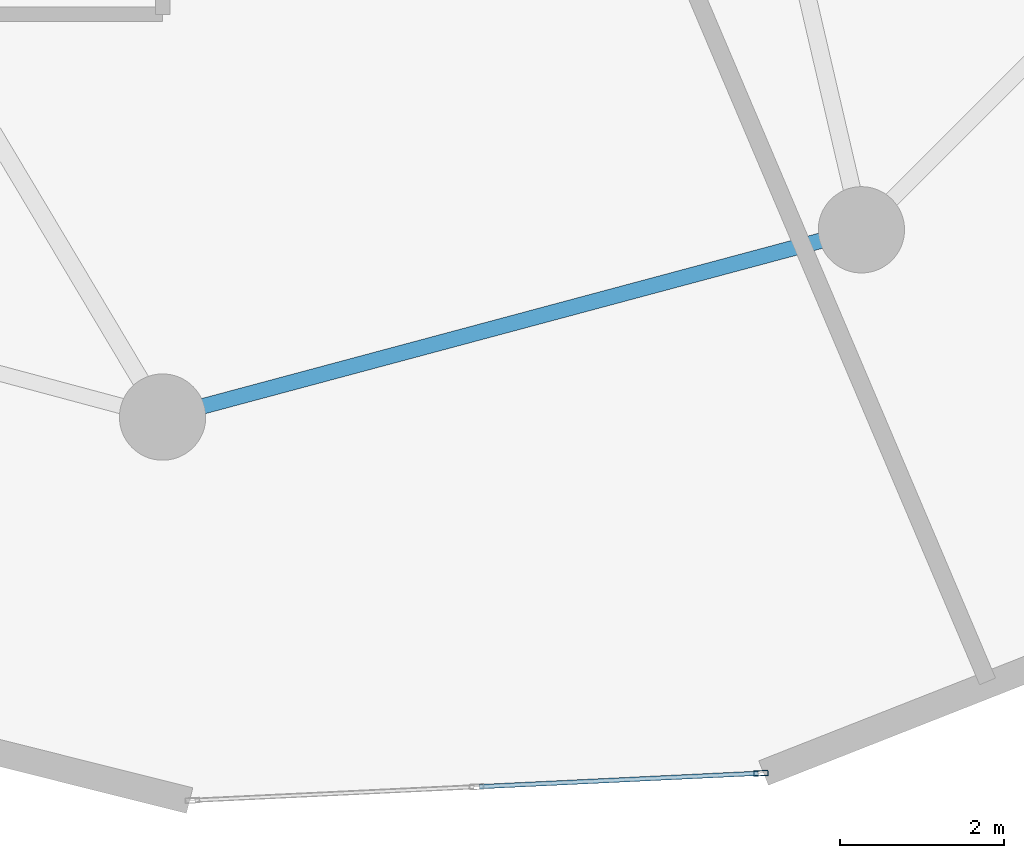
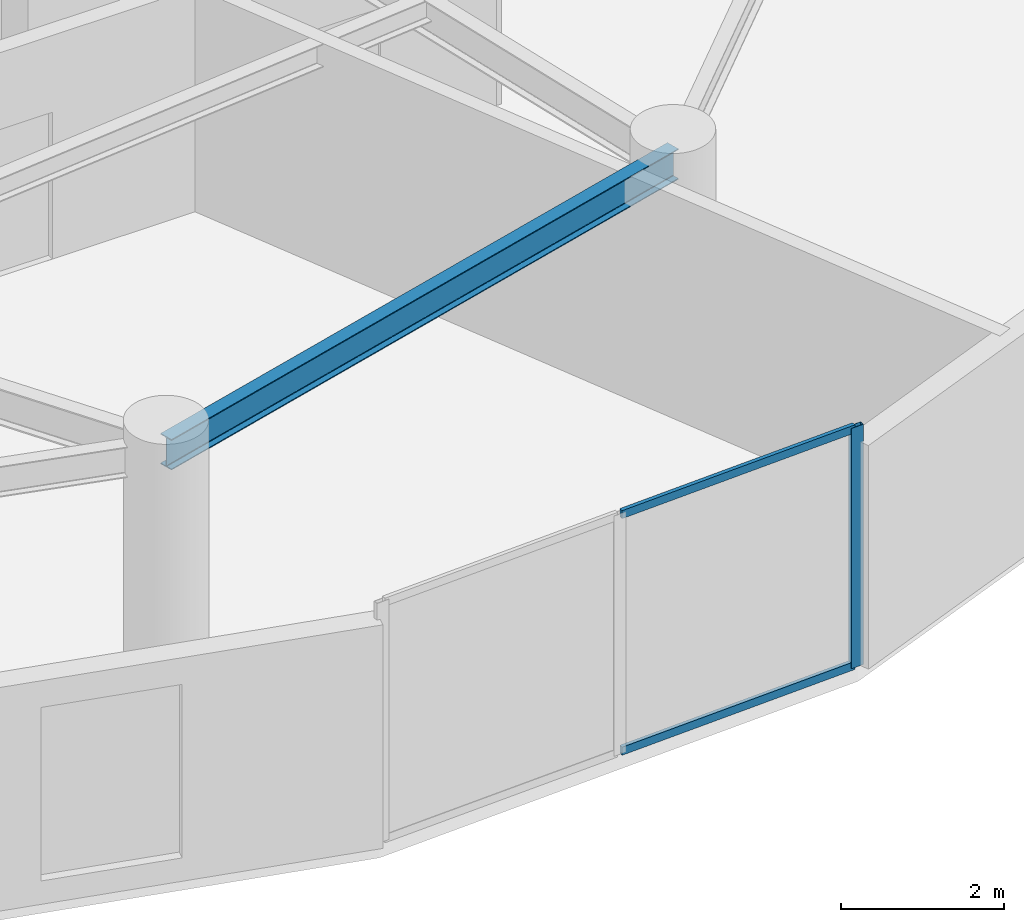
# One storey, part 4 of 25: 3 members, 1 beam, 1 element without a shape of its own.
"""IFC4 building model written with IfcOpenShell, lengths in metres."""

from ifc_helpers import new_model, si_unit, direction, frame, origin, origin_2d, place, context, subcontext, project, spatial, hollow_rectangle, i_section, extrude, source, transform, mapped, material, layer, layer_set, material_profile, profile_set, type_object, element, aggregate, save


model = new_model("IFC4")

# Units and contexts
model_context = context("Model", 3, precision=1e-05, world=origin(), true_north=direction((0.0, 1.0)))
body_context = subcontext(model_context, "Body", "Model", "MODEL_VIEW")
ifc_project = project(units=[si_unit("LENGTHUNIT", "METRE"), si_unit("AREAUNIT", "SQUARE_METRE"), si_unit("VOLUMEUNIT", "CUBIC_METRE"), si_unit("PLANEANGLEUNIT", "RADIAN"), si_unit("MASSUNIT", "GRAM", prefix="KILO")], contexts=[model_context])

# Site, building, storey
site_placement = place(None, origin())
site = spatial("IfcSite", under=ifc_project, at=site_placement, CompositionType="ELEMENT")
building_placement = place(site_placement, origin())
building = spatial("IfcBuilding", under=site, at=building_placement, Name="Solvirekh Grand Hotel", CompositionType="ELEMENT")
storey_placement = place(building_placement, frame((0.0, 0.0, 124.199951171875)))
storey = spatial("IfcBuildingStorey", under=building, at=storey_placement, Name="L31", CompositionType="ELEMENT", Elevation=124.199951171875)

# Beam
ifc_material_1 = material(Name="Steel S355", Category="steel")
ifc_material_profile_1 = material_profile(ifc_material_1, i_section(OverallWidth=0.18994140625, OverallDepth=0.45703125, WebThickness=0.009033203125, FlangeThickness=0.013916015625, FilletRadius=0.012939453125, at=origin_2d()), Name="W460X74")
ifc_profile_set_1 = profile_set([ifc_material_profile_1], Name="Steel S355")
beam_type = type_object("IfcBeamType", Name="Spandrel_Ring_W460", PredefinedType="SPANDREL", material=ifc_profile_set_1)
beam_placement = place(storey_placement, frame((0.0, -17.0, 3.1220703125), z_axis=(0.965911391906, 0.258872908946, 0.0), x_axis=(-0.258872908946, 0.965911391906, 0.0)))
element("IfcBeam", 1, at=beam_placement, inside=storey, type_object=beam_type, Name="L31 perimeter spandrel beam 10", PredefinedType="SPANDREL", context=body_context, shape_type="SweptSolid", body=[
    extrude(i_section(OverallWidth=0.18994140625, OverallDepth=0.45703125, WebThickness=0.009033203125, FlangeThickness=0.013916015625, FilletRadius=0.012939453125, at=origin_2d()), origin(), (0.0, 0.0, 1.0), 8.800048828125),
])

# Curtain wall, members
ifc_material_2 = material(Name="Anodized Bronze Aluminium 6063-T6", Category="aluminium")
ifc_layer = layer(ifc_material_2, 0.175048828125)
ifc_layer_set = layer_set([ifc_layer], Name="Anodized Bronze Aluminium 6063-T6")
curtain_wall_type = type_object("IfcCurtainWallType", Name="CW_Sys3_MidZoneFlushBronzeCW", PredefinedType="NOTDEFINED", material=ifc_layer_set)
curtain_wall_placement = place(storey_placement, origin())
curtain_wall = element("IfcCurtainWall", 2, at=curtain_wall_placement, inside=storey, type_object=curtain_wall_type, Name="L31 unitised bronze-glass curtain wall CW-L31-C18", PredefinedType="NOTDEFINED")
ifc_material_profile_2 = material_profile(ifc_material_2, hollow_rectangle(XDim=0.06494140625, YDim=0.175048828125, WallThickness=0.0048828125, at=origin_2d()), Name="ALU RHS 175X65X5")
ifc_profile_set_2 = profile_set([ifc_material_profile_2], Name="Anodized Bronze Aluminium 6063-T6")
member_type_1 = type_object("IfcMemberType", Name="CWMullion_Sys3", PredefinedType="MULLION", material=ifc_profile_set_2)
shared_shape_1 = source(origin(), body_context, "Body", "SweptSolid", [
    extrude(hollow_rectangle(XDim=0.06494140625, YDim=0.175048828125, WallThickness=0.0048828125, at=origin_2d()), origin(), (0.0, 0.0, 1.0), 3.60009765625),
])
member_1_placement = place(storey_placement, frame((7.277587890625, -21.33154296875, 0.0), z_axis=(0.0, 0.0, 1.0), x_axis=(-0.047932237159, 0.998850589749, 0.0)))
member_1 = element("IfcMember", 3, at=member_1_placement, type_object=member_type_1, Name="U03 mullion 3", PredefinedType="MULLION", context=body_context, shape_type="MappedRepresentation", body=[
    mapped(shared_shape_1, transform((0.0, 0.0, 0.0), x_axis=(1.0, 0.0, 0.0), y_axis=(0.0, 1.0, 0.0), z_axis=(0.0, 0.0, 1.0), scale=1.0)),
])
ifc_material_profile_3 = material_profile(ifc_material_2, hollow_rectangle(XDim=0.054931640625, YDim=0.1201171875, WallThickness=0.00390625, at=origin_2d()), Name="ALU RHS 120X55X4")
ifc_profile_set_3 = profile_set([ifc_material_profile_3], Name="Anodized Bronze Aluminium 6063-T6")
member_type_2 = type_object("IfcMemberType", Name="CWTransom_Sys3", PredefinedType="USERDEFINED", material=ifc_profile_set_3)
shared_shape_2 = source(origin(), body_context, "Body", "SweptSolid", [
    extrude(hollow_rectangle(XDim=0.054931640625, YDim=0.1201171875, WallThickness=0.00390625, at=origin_2d()), origin(), (0.0, 0.0, 1.0), 3.39697265625),
])
member_2_placement = place(storey_placement, frame((3.85205078125, -21.495849609375, 0.027587890625), z_axis=(0.998850344765, 0.047937342061, 0.0), x_axis=(-0.047937342061, 0.998850344765, 0.0)))
member_2 = element("IfcMember", 4, at=member_2_placement, type_object=member_type_2, Name="U03 transom 2.1", ObjectType="TRANSOM", PredefinedType="USERDEFINED", context=body_context, shape_type="MappedRepresentation", body=[
    mapped(shared_shape_2, transform((0.0, 0.0, 0.0), x_axis=(1.0, 0.0, 0.0), y_axis=(0.0, 1.0, 0.0), z_axis=(0.0, 0.0, 1.0), scale=1.0)),
])
member_3_placement = place(storey_placement, frame((3.85205078125, -21.495849609375, 3.572509765625), z_axis=(0.998850344765, 0.047937342061, 0.0), x_axis=(-0.047937342061, 0.998850344765, 0.0)))
member_3 = element("IfcMember", 5, at=member_3_placement, type_object=member_type_2, Name="U03 transom 2.2", ObjectType="TRANSOM", PredefinedType="USERDEFINED", context=body_context, shape_type="MappedRepresentation", body=[
    mapped(shared_shape_2, transform((0.0, 0.0, 0.0), x_axis=(1.0, 0.0, 0.0), y_axis=(0.0, 1.0, 0.0), z_axis=(0.0, 0.0, 1.0), scale=1.0)),
])
aggregate(curtain_wall, [member_1, member_2, member_3])

save(model, "model.ifc")
